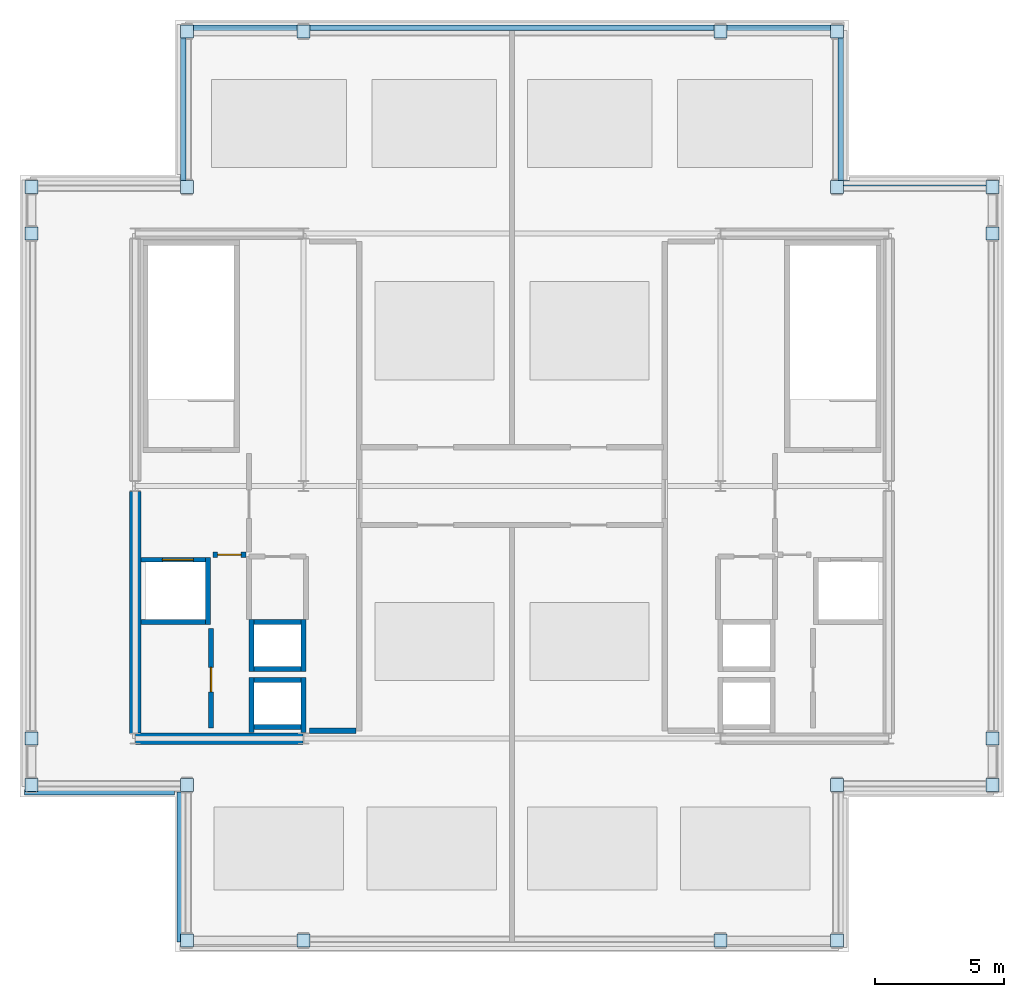
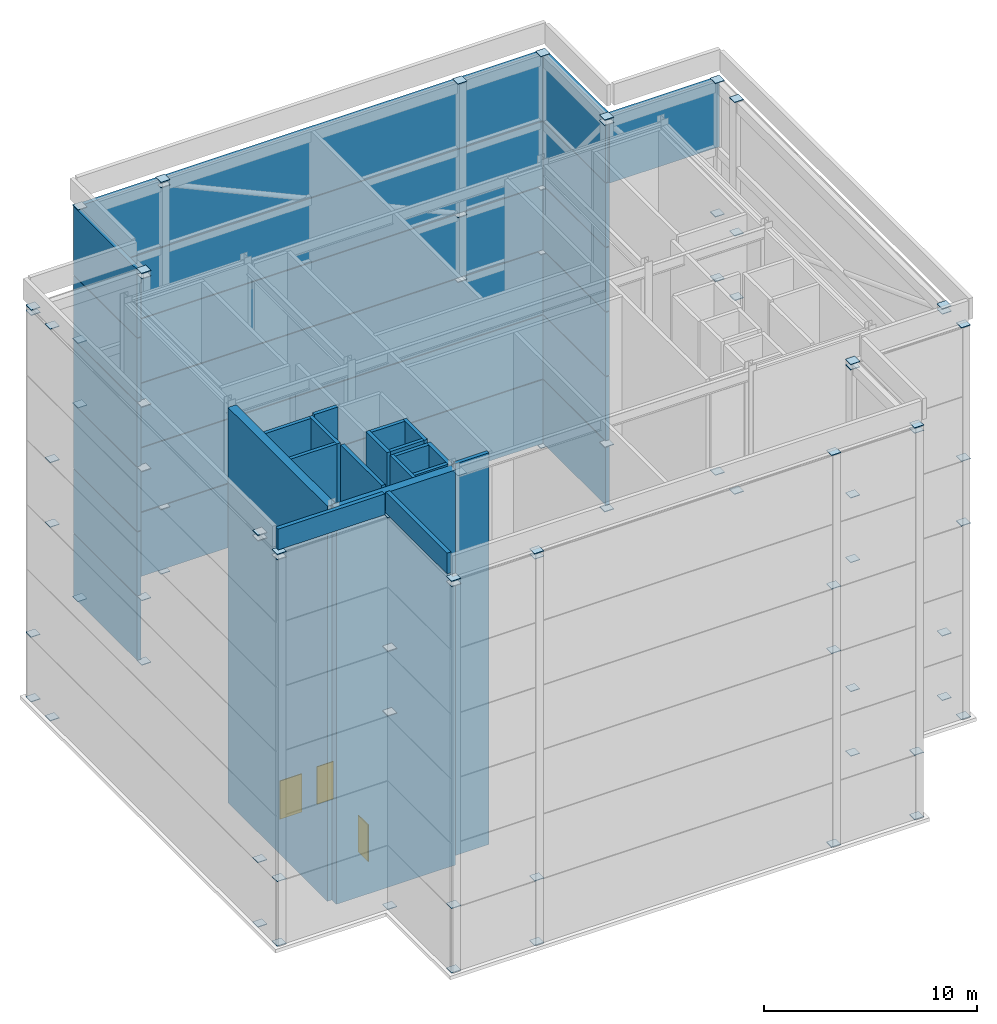
# One storey, part 4 of 8: 103 plates, 18 walls, 3 doors, 3 openings.
"""IFC4 building model written with IfcOpenShell, lengths in metres."""

from ifc_helpers import new_model, si_unit, direction, frame, frame_2d, origin, origin_2d, place, context, subcontext, project, spatial, rectangle, extrude, material, layer, layer_set, type_object, element, fill, save


model = new_model("IFC4")

# Units and contexts
model_context = context("Model", 3, precision=1e-05, world=origin(), true_north=direction((0.0, 1.0)))
body_context = subcontext(model_context, "Body", "Model", "MODEL_VIEW")
ifc_project = project(units=[si_unit("LENGTHUNIT", "METRE"), si_unit("AREAUNIT", "SQUARE_METRE"), si_unit("VOLUMEUNIT", "CUBIC_METRE"), si_unit("PLANEANGLEUNIT", "RADIAN"), si_unit("MASSUNIT", "GRAM", prefix="KILO")], contexts=[model_context])

# Site, building, storey
site_placement = place(None, origin())
site = spatial("IfcSite", under=ifc_project, at=site_placement, CompositionType="ELEMENT")
building_placement = place(site_placement, origin())
building = spatial("IfcBuilding", under=site, at=building_placement, Name="Brelmoor Portico Tower", CompositionType="ELEMENT")
storey_placement = place(building_placement, frame((0.0, 0.0, 289.199951171875)))
storey = spatial("IfcBuildingStorey", under=building, at=storey_placement, Name="L76", CompositionType="ELEMENT", Elevation=289.199951171875)

# Plates
ifc_material_1 = material(Name="Steel Q355B", Category="steel")
ifc_layer_1 = layer(ifc_material_1, 0.035888671875)
ifc_layer_set_1 = layer_set([ifc_layer_1], Name="Steel Q355B")
plate_type_1 = type_object("IfcPlateType", Name="PT-CAP-500", PredefinedType="SHEET", material=ifc_layer_set_1)
for number, where, z_axis, x_axis, name in (
    (1, (-12.550048828125, -17.550048828125, -0.01806640625), (0.0, 0.0, 1.0), (1.0, 0.0, 0.0), "CROWN FRAME Vertical Post PS01 Joint Cap Plate 1"),
    (2, (-12.550048828125, -17.550048828125, 22.43212890625), (0.0, 0.0, 1.0), (1.0, 0.0, 0.0), "CROWN FRAME Vertical Post PS01 Joint Cap Plate 2"),
    (3, (-8.050048828125, -17.550048828125, -0.01806640625), (0.0, 0.0, 1.0), (1.0, 0.0, 0.0), "CROWN FRAME Vertical Post PS02 Joint Cap Plate 1"),
    (4, (-8.050048828125, -17.550048828125, 22.43212890625), (0.0, 0.0, 1.0), (1.0, 0.0, 0.0), "CROWN FRAME Vertical Post PS02 Joint Cap Plate 2"),
    (5, (8.050048828125, -17.550048828125, -0.01806640625), (0.0, 0.0, 1.0), (1.0, 0.0, 0.0), "CROWN FRAME Vertical Post PS03 Joint Cap Plate 1"),
    (6, (8.050048828125, -17.550048828125, 22.43212890625), (0.0, 0.0, 1.0), (1.0, 0.0, 0.0), "CROWN FRAME Vertical Post PS03 Joint Cap Plate 2"),
    (7, (12.550048828125, -17.550048828125, -0.01806640625), (0.0, 0.0, 1.0), (1.0, 0.0, 0.0), "CROWN FRAME Vertical Post PS04 Joint Cap Plate 1"),
    (8, (12.550048828125, -17.550048828125, 22.43212890625), (0.0, 0.0, 1.0), (1.0, 0.0, 0.0), "CROWN FRAME Vertical Post PS04 Joint Cap Plate 2"),
    (9, (-12.550048828125, 17.550048828125, -0.01806640625), (0.0, 0.0, 1.0), (1.0, 0.0, 0.0), "CROWN FRAME Vertical Post PN01 Joint Cap Plate 1"),
    (10, (-12.550048828125, 17.550048828125, 22.43212890625), (0.0, 0.0, 1.0), (1.0, 0.0, 0.0), "CROWN FRAME Vertical Post PN01 Joint Cap Plate 2"),
    (11, (-8.050048828125, 17.550048828125, -0.01806640625), (0.0, 0.0, 1.0), (1.0, 0.0, 0.0), "CROWN FRAME Vertical Post PN02 Joint Cap Plate 1"),
    (12, (-8.050048828125, 17.550048828125, 22.43212890625), (0.0, 0.0, 1.0), (1.0, 0.0, 0.0), "CROWN FRAME Vertical Post PN02 Joint Cap Plate 2"),
    (13, (8.050048828125, 17.550048828125, -0.01806640625), (0.0, 0.0, 1.0), (1.0, 0.0, 0.0), "CROWN FRAME Vertical Post PN03 Joint Cap Plate 1"),
    (14, (8.050048828125, 17.550048828125, 22.43212890625), (0.0, 0.0, 1.0), (1.0, 0.0, 0.0), "CROWN FRAME Vertical Post PN03 Joint Cap Plate 2"),
    (15, (12.550048828125, 17.550048828125, -0.01806640625), (0.0, 0.0, 1.0), (1.0, 0.0, 0.0), "CROWN FRAME Vertical Post PN04 Joint Cap Plate 1"),
    (16, (12.550048828125, 17.550048828125, 22.43212890625), (0.0, 0.0, 1.0), (1.0, 0.0, 0.0), "CROWN FRAME Vertical Post PN04 Joint Cap Plate 2"),
    (17, (-18.550048828125, -11.550048828125, -0.01806640625), (0.0, 0.0, 1.0), (1.0, 0.0, 0.0), "CROWN FRAME Vertical Post PW01 Joint Cap Plate 1"),
    (18, (-18.550048828125, -11.550048828125, 22.43212890625), (0.0, 0.0, 1.0), (1.0, 0.0, 0.0), "CROWN FRAME Vertical Post PW01 Joint Cap Plate 2"),
    (19, (-18.550048828125, -9.75, -0.01806640625), (0.0, 0.0, 1.0), (1.0, 0.0, 0.0), "CROWN FRAME Vertical Post PW02 Joint Cap Plate 1"),
    (20, (-18.550048828125, -9.75, 22.43212890625), (0.0, 0.0, 1.0), (1.0, 0.0, 0.0), "CROWN FRAME Vertical Post PW02 Joint Cap Plate 2"),
    (21, (-18.550048828125, 9.75, -0.01806640625), (0.0, 0.0, 1.0), (1.0, 0.0, 0.0), "CROWN FRAME Vertical Post PW03 Joint Cap Plate 1"),
    (22, (-18.550048828125, 9.75, 22.43212890625), (0.0, 0.0, 1.0), (1.0, 0.0, 0.0), "CROWN FRAME Vertical Post PW03 Joint Cap Plate 2"),
    (23, (-18.550048828125, 11.550048828125, -0.01806640625), (0.0, 0.0, 1.0), (1.0, 0.0, 0.0), "CROWN FRAME Vertical Post PW04 Joint Cap Plate 1"),
    (24, (-18.550048828125, 11.550048828125, 22.43212890625), (0.0, 0.0, 1.0), (1.0, 0.0, 0.0), "CROWN FRAME Vertical Post PW04 Joint Cap Plate 2"),
    (25, (18.550048828125, -11.550048828125, -0.01806640625), (0.0, 0.0, 1.0), (1.0, 0.0, 0.0), "CROWN FRAME Vertical Post PE01 Joint Cap Plate 1"),
    (26, (18.550048828125, -11.550048828125, 22.43212890625), (0.0, 0.0, 1.0), (1.0, 0.0, 0.0), "CROWN FRAME Vertical Post PE01 Joint Cap Plate 2"),
    (27, (18.550048828125, -9.75, -0.01806640625), (0.0, 0.0, 1.0), (1.0, 0.0, 0.0), "CROWN FRAME Vertical Post PE02 Joint Cap Plate 1"),
    (28, (18.550048828125, -9.75, 22.43212890625), (0.0, 0.0, 1.0), (1.0, 0.0, 0.0), "CROWN FRAME Vertical Post PE02 Joint Cap Plate 2"),
    (29, (18.550048828125, 9.75, -0.01806640625), (0.0, 0.0, 1.0), (1.0, 0.0, 0.0), "CROWN FRAME Vertical Post PE03 Joint Cap Plate 1"),
    (30, (18.550048828125, 9.75, 22.43212890625), (0.0, 0.0, 1.0), (1.0, 0.0, 0.0), "CROWN FRAME Vertical Post PE03 Joint Cap Plate 2"),
    (31, (18.550048828125, 11.550048828125, -0.01806640625), (0.0, 0.0, 1.0), (1.0, 0.0, 0.0), "CROWN FRAME Vertical Post PE04 Joint Cap Plate 1"),
    (32, (18.550048828125, 11.550048828125, 22.43212890625), (0.0, 0.0, 1.0), (1.0, 0.0, 0.0), "CROWN FRAME Vertical Post PE04 Joint Cap Plate 2"),
    (33, (-12.550048828125, 11.550048828125, -0.01806640625), (0.0, 0.0, 1.0), (1.0, 0.0, 0.0), "CROWN FRAME Vertical Post PC-NW Joint Cap Plate 1"),
    (34, (-12.550048828125, 11.550048828125, 22.43212890625), (0.0, 0.0, 1.0), (1.0, 0.0, 0.0), "CROWN FRAME Vertical Post PC-NW Joint Cap Plate 2"),
    (35, (12.550048828125, 11.550048828125, -0.01806640625), (0.0, 0.0, 1.0), (1.0, 0.0, 0.0), "CROWN FRAME Vertical Post PC-NE Joint Cap Plate 1"),
    (36, (12.550048828125, 11.550048828125, 22.43212890625), (0.0, 0.0, 1.0), (1.0, 0.0, 0.0), "CROWN FRAME Vertical Post PC-NE Joint Cap Plate 2"),
    (37, (12.550048828125, -11.550048828125, -0.01806640625), (0.0, 0.0, 1.0), (1.0, 0.0, 0.0), "CROWN FRAME Vertical Post PC-SE Joint Cap Plate 1"),
    (38, (12.550048828125, -11.550048828125, 22.43212890625), (0.0, 0.0, 1.0), (1.0, 0.0, 0.0), "CROWN FRAME Vertical Post PC-SE Joint Cap Plate 2"),
    (39, (-12.550048828125, -11.550048828125, -0.01806640625), (0.0, 0.0, 1.0), (1.0, 0.0, 0.0), "CROWN FRAME Vertical Post PC-SW Joint Cap Plate 1"),
    (40, (-12.550048828125, -11.550048828125, 22.43212890625), (0.0, 0.0, 1.0), (1.0, 0.0, 0.0), "CROWN FRAME Vertical Post PC-SW Joint Cap Plate 2"),
    (41, (-8.050048828125, -17.550048828125, 3.68212890625), (0.0, 0.0, 1.0), (1.0, 0.0, 0.0), "CROWN FRAME Wind Brace 01A Joint Cap Plate 1"),
    (42, (8.050048828125, -17.550048828125, 11.08203125), (0.0, 0.0, 1.0), (1.0, 0.0, 0.0), "CROWN FRAME Wind Brace 01A Joint Cap Plate 2"),
    (43, (8.050048828125, -17.550048828125, 14.7822265625), (0.0, 0.0, 1.0), (1.0, 0.0, 0.0), "CROWN FRAME Wind Brace 01B Joint Cap Plate 1"),
    (44, (-8.050048828125, -17.550048828125, 22.13232421875), (0.0, 0.0, 1.0), (1.0, 0.0, 0.0), "CROWN FRAME Wind Brace 01B Joint Cap Plate 2"),
    (45, (-18.550048828125, -11.550048828125, 3.68212890625), (0.0, 0.0, 1.0), (1.0, 0.0, 0.0), "CROWN FRAME Wind Brace 02A Joint Cap Plate 1"),
    (46, (-12.550048828125, -11.550048828125, 11.08203125), (0.0, 0.0, 1.0), (1.0, 0.0, 0.0), "CROWN FRAME Wind Brace 02A Joint Cap Plate 2"),
    (47, (-12.550048828125, -11.550048828125, 14.7822265625), (0.0, 0.0, 1.0), (1.0, 0.0, 0.0), "CROWN FRAME Wind Brace 02B Joint Cap Plate 1"),
    (48, (-18.550048828125, -11.550048828125, 22.13232421875), (0.0, 0.0, 1.0), (1.0, 0.0, 0.0), "CROWN FRAME Wind Brace 02B Joint Cap Plate 2"),
    (49, (12.550048828125, -11.550048828125, 3.68212890625), (0.0, 0.0, 1.0), (1.0, 0.0, 0.0), "CROWN FRAME Wind Brace 03A Joint Cap Plate 1"),
    (50, (18.550048828125, -11.550048828125, 11.08203125), (0.0, 0.0, 1.0), (1.0, 0.0, 0.0), "CROWN FRAME Wind Brace 03A Joint Cap Plate 2"),
    (51, (18.550048828125, -11.550048828125, 14.7822265625), (0.0, 0.0, 1.0), (1.0, 0.0, 0.0), "CROWN FRAME Wind Brace 03B Joint Cap Plate 1"),
    (52, (12.550048828125, -11.550048828125, 22.13232421875), (0.0, 0.0, 1.0), (1.0, 0.0, 0.0), "CROWN FRAME Wind Brace 03B Joint Cap Plate 2"),
    (53, (-18.550048828125, 11.550048828125, 3.68212890625), (0.0, 0.0, 1.0), (1.0, 0.0, 0.0), "CROWN FRAME Wind Brace 04A Joint Cap Plate 1"),
    (54, (-12.550048828125, 11.550048828125, 11.08203125), (0.0, 0.0, 1.0), (1.0, 0.0, 0.0), "CROWN FRAME Wind Brace 04A Joint Cap Plate 2"),
    (55, (-12.550048828125, 11.550048828125, 14.7822265625), (0.0, 0.0, 1.0), (1.0, 0.0, 0.0), "CROWN FRAME Wind Brace 04B Joint Cap Plate 1"),
    (56, (-18.550048828125, 11.550048828125, 22.13232421875), (0.0, 0.0, 1.0), (1.0, 0.0, 0.0), "CROWN FRAME Wind Brace 04B Joint Cap Plate 2"),
    (57, (12.550048828125, 11.550048828125, 3.68212890625), (0.0, 0.0, 1.0), (1.0, 0.0, 0.0), "CROWN FRAME Wind Brace 05A Joint Cap Plate 1"),
    (58, (18.550048828125, 11.550048828125, 11.08203125), (0.0, 0.0, 1.0), (1.0, 0.0, 0.0), "CROWN FRAME Wind Brace 05A Joint Cap Plate 2"),
    (59, (18.550048828125, 11.550048828125, 14.7822265625), (0.0, 0.0, 1.0), (1.0, 0.0, 0.0), "CROWN FRAME Wind Brace 05B Joint Cap Plate 1"),
    (60, (12.550048828125, 11.550048828125, 22.13232421875), (0.0, 0.0, 1.0), (1.0, 0.0, 0.0), "CROWN FRAME Wind Brace 05B Joint Cap Plate 2"),
    (61, (-8.050048828125, 17.550048828125, 3.68212890625), (0.0, 0.0, 1.0), (1.0, 0.0, 0.0), "CROWN FRAME Wind Brace 06A Joint Cap Plate 1"),
    (62, (8.050048828125, 17.550048828125, 11.08203125), (0.0, 0.0, 1.0), (1.0, 0.0, 0.0), "CROWN FRAME Wind Brace 06A Joint Cap Plate 2"),
    (63, (8.050048828125, 17.550048828125, 14.7822265625), (0.0, 0.0, 1.0), (1.0, 0.0, 0.0), "CROWN FRAME Wind Brace 06B Joint Cap Plate 1"),
    (64, (-8.050048828125, 17.550048828125, 22.13232421875), (0.0, 0.0, 1.0), (1.0, 0.0, 0.0), "CROWN FRAME Wind Brace 06B Joint Cap Plate 2"),
    (65, (-18.550048828125, -9.75, 3.68212890625), (0.0, 0.0, 1.0), (1.0, 0.0, 0.0), "CROWN FRAME Wind Brace 07A Joint Cap Plate 1"),
    (66, (-18.550048828125, 9.75, 11.08203125), (0.0, 0.0, 1.0), (1.0, 0.0, 0.0), "CROWN FRAME Wind Brace 07A Joint Cap Plate 2"),
    (67, (-18.550048828125, 9.75, 14.7822265625), (0.0, 0.0, 1.0), (1.0, 0.0, 0.0), "CROWN FRAME Wind Brace 07B Joint Cap Plate 1"),
    (68, (-18.550048828125, -9.75, 22.13232421875), (0.0, 0.0, 1.0), (1.0, 0.0, 0.0), "CROWN FRAME Wind Brace 07B Joint Cap Plate 2"),
    (69, (-12.550048828125, -17.550048828125, 3.68212890625), (0.0, 0.0, 1.0), (1.0, 0.0, 0.0), "CROWN FRAME Wind Brace 08A Joint Cap Plate 1"),
    (70, (-12.550048828125, -17.550048828125, 22.13232421875), (0.0, 0.0, 1.0), (1.0, 0.0, 0.0), "CROWN FRAME Wind Brace 08B Joint Cap Plate 2"),
    (71, (-12.550048828125, 11.550048828125, 3.68212890625), (0.0, 0.0, 1.0), (1.0, 0.0, 0.0), "CROWN FRAME Wind Brace 09A Joint Cap Plate 1"),
    (72, (-12.550048828125, 17.550048828125, 11.08203125), (0.0, 0.0, 1.0), (1.0, 0.0, 0.0), "CROWN FRAME Wind Brace 09A Joint Cap Plate 2"),
    (73, (-12.550048828125, 17.550048828125, 14.7822265625), (0.0, 0.0, 1.0), (1.0, 0.0, 0.0), "CROWN FRAME Wind Brace 09B Joint Cap Plate 1"),
    (74, (-12.550048828125, 11.550048828125, 22.13232421875), (0.0, 0.0, 1.0), (1.0, 0.0, 0.0), "CROWN FRAME Wind Brace 09B Joint Cap Plate 2"),
    (75, (12.550048828125, -17.550048828125, 3.68212890625), (0.0, 0.0, 1.0), (1.0, 0.0, 0.0), "CROWN FRAME Wind Brace 10A Joint Cap Plate 1"),
    (76, (12.550048828125, -11.550048828125, 11.08203125), (0.0, 0.0, 1.0), (1.0, 0.0, 0.0), "CROWN FRAME Wind Brace 10A Joint Cap Plate 2"),
    (77, (12.550048828125, -11.550048828125, 14.7822265625), (0.0, 0.0, 1.0), (1.0, 0.0, 0.0), "CROWN FRAME Wind Brace 10B Joint Cap Plate 1"),
    (78, (12.550048828125, -17.550048828125, 22.13232421875), (0.0, 0.0, 1.0), (1.0, 0.0, 0.0), "CROWN FRAME Wind Brace 10B Joint Cap Plate 2"),
    (79, (12.550048828125, 17.550048828125, 11.08203125), (0.0, 0.0, 1.0), (1.0, 0.0, 0.0), "CROWN FRAME Wind Brace 11A Joint Cap Plate 2"),
    (80, (12.550048828125, 17.550048828125, 14.7822265625), (0.0, 0.0, 1.0), (1.0, 0.0, 0.0), "CROWN FRAME Wind Brace 11B Joint Cap Plate 1"),
    (81, (18.550048828125, -9.75, 3.68212890625), (0.0, 0.0, 1.0), (1.0, 0.0, 0.0), "CROWN FRAME Wind Brace 12A Joint Cap Plate 1"),
    (82, (18.550048828125, 9.75, 11.08203125), (0.0, 0.0, 1.0), (1.0, 0.0, 0.0), "CROWN FRAME Wind Brace 12A Joint Cap Plate 2"),
    (83, (18.550048828125, 9.75, 14.7822265625), (0.0, 0.0, 1.0), (1.0, 0.0, 0.0), "CROWN FRAME Wind Brace 12B Joint Cap Plate 1"),
    (84, (18.550048828125, -9.75, 22.13232421875), (0.0, 0.0, 1.0), (1.0, 0.0, 0.0), "CROWN FRAME Wind Brace 12B Joint Cap Plate 2"),
):
    element("IfcPlate", number, at=place(storey_placement, frame(where, z_axis=z_axis, x_axis=x_axis)), inside=storey, type_object=plate_type_1, Name=name, PredefinedType="SHEET", context=body_context, shape_type="SweptSolid", body=[
        extrude(rectangle(XDim=0.5, YDim=0.5, at=origin_2d()), origin(), (0.0, 0.0, 1.0), 0.035888671875),
    ])
ifc_material_2 = material(Name="Pale Champagne Anodised Aluminium Crown Screen", Category="aluminium")
ifc_layer_2 = layer(ifc_material_2, 0.06494140625)
ifc_layer_set_2 = layer_set([ifc_layer_2], Name="Pale Champagne Anodised Aluminium Crown Screen")
plate_type_2 = type_object("IfcPlateType", Name="PT-CROWN-LOUVRE", PredefinedType="SHEET", material=ifc_layer_set_2)
plate_1_placement = place(storey_placement, frame((0.0, 17.699951171875, 0.02001953125), z_axis=(0.0, 0.0, 1.0), x_axis=(1.0, 0.0, 0.0)))
element("IfcPlate", 85, at=plate_1_placement, inside=storey, type_object=plate_type_2, Name="CROWN LOUVRE SCREEN Plate Tier 1 N", PredefinedType="SHEET", context=body_context, shape_type="SweptSolid", body=[
    extrude(rectangle(XDim=25.360107421875, YDim=0.219970703125, at=origin_2d()), origin(), (0.0, 0.0, 1.0), 3.659912109375),
])
for number, where, z_axis, x_axis, name in (
    (86, (-12.699951171875, 14.699951171875, 0.02001953125), (0.0, 0.0, 1.0), (0.0, 1.0, 0.0), "CROWN LOUVRE SCREEN Plate Tier 1 NW1"),
    (87, (12.699951171875, 14.699951171875, 0.02001953125), (0.0, 0.0, 1.0), (0.0, 1.0, 0.0), "CROWN LOUVRE SCREEN Plate Tier 1 NE1"),
):
    element("IfcPlate", number, at=place(storey_placement, frame(where, z_axis=z_axis, x_axis=x_axis)), inside=storey, type_object=plate_type_2, Name=name, PredefinedType="SHEET", context=body_context, shape_type="SweptSolid", body=[
        extrude(rectangle(XDim=5.9599609375, YDim=0.219970703125, at=origin_2d()), origin(), (0.0, 0.0, 1.0), 3.659912109375),
    ])
plate_2_placement = place(storey_placement, frame((0.0, 17.699951171875, 3.72021484375), z_axis=(0.0, 0.0, 1.0), x_axis=(1.0, 0.0, 0.0)))
element("IfcPlate", 88, at=plate_2_placement, inside=storey, type_object=plate_type_2, Name="CROWN LOUVRE SCREEN Plate Tier 2 N", PredefinedType="SHEET", context=body_context, shape_type="SweptSolid", body=[
    extrude(rectangle(XDim=25.360107421875, YDim=0.219970703125, at=origin_2d()), origin(), (0.0, 0.0, 1.0), 3.659912109375),
])
for number, where, z_axis, x_axis, name in (
    (89, (-12.699951171875, 14.699951171875, 3.72021484375), (0.0, 0.0, 1.0), (0.0, 1.0, 0.0), "CROWN LOUVRE SCREEN Plate Tier 2 NW1"),
    (90, (12.699951171875, 14.699951171875, 3.72021484375), (0.0, 0.0, 1.0), (0.0, 1.0, 0.0), "CROWN LOUVRE SCREEN Plate Tier 2 NE1"),
):
    element("IfcPlate", number, at=place(storey_placement, frame(where, z_axis=z_axis, x_axis=x_axis)), inside=storey, type_object=plate_type_2, Name=name, PredefinedType="SHEET", context=body_context, shape_type="SweptSolid", body=[
        extrude(rectangle(XDim=5.9599609375, YDim=0.219970703125, at=origin_2d()), origin(), (0.0, 0.0, 1.0), 3.659912109375),
    ])
plate_3_placement = place(storey_placement, frame((0.0, 17.699951171875, 7.419921875), z_axis=(0.0, 0.0, 1.0), x_axis=(1.0, 0.0, 0.0)))
element("IfcPlate", 91, at=plate_3_placement, inside=storey, type_object=plate_type_2, Name="CROWN LOUVRE SCREEN Plate Tier 3 N", PredefinedType="SHEET", context=body_context, shape_type="SweptSolid", body=[
    extrude(rectangle(XDim=25.360107421875, YDim=0.219970703125, at=origin_2d()), origin(), (0.0, 0.0, 1.0), 3.659912109375),
])
for number, where, z_axis, x_axis, name in (
    (92, (-12.699951171875, 14.699951171875, 7.419921875), (0.0, 0.0, 1.0), (0.0, 1.0, 0.0), "CROWN LOUVRE SCREEN Plate Tier 3 NW1"),
    (93, (12.699951171875, 14.699951171875, 7.419921875), (0.0, 0.0, 1.0), (0.0, 1.0, 0.0), "CROWN LOUVRE SCREEN Plate Tier 3 NE1"),
):
    element("IfcPlate", number, at=place(storey_placement, frame(where, z_axis=z_axis, x_axis=x_axis)), inside=storey, type_object=plate_type_2, Name=name, PredefinedType="SHEET", context=body_context, shape_type="SweptSolid", body=[
        extrude(rectangle(XDim=5.9599609375, YDim=0.219970703125, at=origin_2d()), origin(), (0.0, 0.0, 1.0), 3.659912109375),
    ])
plate_4_placement = place(storey_placement, frame((0.0, 17.699951171875, 11.1201171875), z_axis=(0.0, 0.0, 1.0), x_axis=(1.0, 0.0, 0.0)))
element("IfcPlate", 94, at=plate_4_placement, inside=storey, type_object=plate_type_2, Name="CROWN LOUVRE SCREEN Plate Tier 4 N", PredefinedType="SHEET", context=body_context, shape_type="SweptSolid", body=[
    extrude(rectangle(XDim=25.360107421875, YDim=0.219970703125, at=origin_2d()), origin(), (0.0, 0.0, 1.0), 3.659912109375),
])
for number, where, z_axis, x_axis, name in (
    (95, (-12.699951171875, 14.699951171875, 11.1201171875), (0.0, 0.0, 1.0), (0.0, 1.0, 0.0), "CROWN LOUVRE SCREEN Plate Tier 4 NW1"),
    (96, (12.699951171875, 14.699951171875, 11.1201171875), (0.0, 0.0, 1.0), (0.0, 1.0, 0.0), "CROWN LOUVRE SCREEN Plate Tier 4 NE1"),
):
    element("IfcPlate", number, at=place(storey_placement, frame(where, z_axis=z_axis, x_axis=x_axis)), inside=storey, type_object=plate_type_2, Name=name, PredefinedType="SHEET", context=body_context, shape_type="SweptSolid", body=[
        extrude(rectangle(XDim=5.9599609375, YDim=0.219970703125, at=origin_2d()), origin(), (0.0, 0.0, 1.0), 3.659912109375),
    ])
plate_5_placement = place(storey_placement, frame((0.0, 17.699951171875, 14.8203125), z_axis=(0.0, 0.0, 1.0), x_axis=(1.0, 0.0, 0.0)))
element("IfcPlate", 97, at=plate_5_placement, inside=storey, type_object=plate_type_2, Name="CROWN LOUVRE SCREEN Plate Tier 5 N", PredefinedType="SHEET", context=body_context, shape_type="SweptSolid", body=[
    extrude(rectangle(XDim=25.360107421875, YDim=0.219970703125, at=origin_2d()), origin(), (0.0, 0.0, 1.0), 3.659912109375),
])
for number, where, z_axis, x_axis, name in (
    (98, (-12.699951171875, 14.699951171875, 14.8203125), (0.0, 0.0, 1.0), (0.0, 1.0, 0.0), "CROWN LOUVRE SCREEN Plate Tier 5 NW1"),
    (99, (12.699951171875, 14.699951171875, 14.8203125), (0.0, 0.0, 1.0), (0.0, 1.0, 0.0), "CROWN LOUVRE SCREEN Plate Tier 5 NE1"),
):
    element("IfcPlate", number, at=place(storey_placement, frame(where, z_axis=z_axis, x_axis=x_axis)), inside=storey, type_object=plate_type_2, Name=name, PredefinedType="SHEET", context=body_context, shape_type="SweptSolid", body=[
        extrude(rectangle(XDim=5.9599609375, YDim=0.219970703125, at=origin_2d()), origin(), (0.0, 0.0, 1.0), 3.659912109375),
    ])
plate_6_placement = place(storey_placement, frame((0.0, 17.699951171875, 18.52001953125), z_axis=(0.0, 0.0, 1.0), x_axis=(1.0, 0.0, 0.0)))
element("IfcPlate", 100, at=plate_6_placement, inside=storey, type_object=plate_type_2, Name="CROWN LOUVRE SCREEN Plate Tier 6 N", PredefinedType="SHEET", context=body_context, shape_type="SweptSolid", body=[
    extrude(rectangle(XDim=25.360107421875, YDim=0.219970703125, at=origin_2d()), origin(), (0.0, 0.0, 1.0), 3.909912109375),
])
for number, where, z_axis, x_axis, name in (
    (101, (-12.699951171875, 14.699951171875, 18.52001953125), (0.0, 0.0, 1.0), (0.0, 1.0, 0.0), "CROWN LOUVRE SCREEN Plate Tier 6 NW1"),
    (102, (12.699951171875, 14.699951171875, 18.52001953125), (0.0, 0.0, 1.0), (0.0, 1.0, 0.0), "CROWN LOUVRE SCREEN Plate Tier 6 NE1"),
    (103, (15.699951171875, 11.699951171875, 18.52001953125), (0.0, 0.0, 1.0), (1.0, 0.0, 0.0), "CROWN LOUVRE SCREEN Plate Tier 6 NE2"),
):
    element("IfcPlate", number, at=place(storey_placement, frame(where, z_axis=z_axis, x_axis=x_axis)), inside=storey, type_object=plate_type_2, Name=name, PredefinedType="SHEET", context=body_context, shape_type="SweptSolid", body=[
        extrude(rectangle(XDim=5.9599609375, YDim=0.219970703125, at=origin_2d()), origin(), (0.0, 0.0, 1.0), 3.909912109375),
    ])

# Walls
ifc_material_3 = material(Name="Concrete C50", Category="concrete")
ifc_layer_3 = layer(ifc_material_3, 0.449951171875)
ifc_layer_set_3 = layer_set([ifc_layer_3], Name="Concrete C50")
wall_type_1 = type_object("IfcWallType", Name="WL-CORE-450", PredefinedType="SHEAR", material=ifc_layer_set_3)
wall_1_placement = place(storey_placement, frame((-14.530029296875, -9.75, -0.199951171875), z_axis=(0.0, 0.0, 1.0), x_axis=(1.0, 0.0, 0.0)))
element("IfcWall", 104, at=wall_1_placement, inside=storey, type_object=wall_type_1, Name="L76 WC South Shear Wall", PredefinedType="SHEAR", context=body_context, shape_type="SweptSolid", body=[
    extrude(rectangle(XDim=6.4599609375, YDim=0.449951171875, at=frame_2d((3.22998046875, 0.0))), origin(), (0.0, 0.0, 1.0), 22.64990234375),
])
wall_2_placement = place(storey_placement, frame((-14.550048828125, -9.550048828125, -0.199951171875), z_axis=(0.0, 0.0, 1.0), x_axis=(0.0, 1.0, 0.0)))
element("IfcWall", 105, at=wall_2_placement, inside=storey, type_object=wall_type_1, Name="L76 WC Outer South Shear Wall", PredefinedType="SHEAR", context=body_context, shape_type="SweptSolid", body=[
    extrude(rectangle(XDim=9.35009765625, YDim=0.449951171875, at=frame_2d((4.675048828125, 0.0))), origin(), (0.0, 0.0, 1.0), 22.64990234375),
])
ifc_material_4 = material(Name="Concrete C40 Parapet Upstand", Category="concrete")
ifc_layer_4 = layer(ifc_material_4, 0.219970703125)
ifc_layer_set_4 = layer_set([ifc_layer_4], Name="Concrete C40 Parapet Upstand")
wall_type_2 = type_object("IfcWallType", Name="WL-PARAPET-220", PredefinedType="PARAPET", material=ifc_layer_set_4)
for number, where, z_axis, x_axis, name in (
    (106, (-18.820068359375, -11.820068359375, 22.800048828125), (0.0, 0.0, 1.0), (1.0, 0.0, 0.0), "L76 Roof Parapet Wall 11"),
    (107, (-12.820068359375, -11.820068359375, 22.800048828125), (0.0, 0.0, 1.0), (0.0, -1.0, 0.0), "L76 Roof Parapet Wall 12"),
):
    element("IfcWall", number, at=place(storey_placement, frame(where, z_axis=z_axis, x_axis=x_axis)), inside=storey, type_object=wall_type_2, Name=name, PredefinedType="PARAPET", context=body_context, shape_type="SweptSolid", body=[
        extrude(rectangle(XDim=5.780029296875, YDim=0.219970703125, at=frame_2d((2.89013671875, 0.0))), origin(), (0.0, 0.0, 1.0), 1.199951171875),
    ])
ifc_material_5 = material(Name="Double-Stud Gypsum Fire Partition", Category="gypsum")
ifc_layer_5 = layer(ifc_material_5, 0.199951171875)
ifc_layer_set_5 = layer_set([ifc_layer_5], Name="Double-Stud Gypsum Fire Partition")
wall_type_3 = type_object("IfcWallType", Name="WL-PART-200", PredefinedType="PARTITIONING", material=ifc_layer_set_5)
wall_3_placement = place(storey_placement, frame((-6.02001953125, -9.449951171875, 0.0), z_axis=(0.0, 0.0, 1.0), x_axis=(-1.0, 0.0, 0.0)))
element("IfcWall", 108, at=wall_3_placement, inside=storey, type_object=wall_type_3, Name="L76 W Lift Lobby South End Wall", PredefinedType="PARTITIONING", context=body_context, shape_type="SweptSolid", body=[
    extrude(rectangle(XDim=1.800048828125, YDim=0.199951171875, at=frame_2d((0.89990234375, 0.0))), origin(), (0.0, 0.0, 1.0), 22.449951171875),
])

# Wall, opening, door
wall_4_placement = place(storey_placement, frame((-10.280029296875, -2.64990234375, 0.0), z_axis=(0.0, 0.0, 1.0), x_axis=(-1.0, 0.0, 0.0)))
wall_4 = element("IfcWall", 109, at=wall_4_placement, inside=storey, type_object=wall_type_3, Name="L76 W Firefighting Lobby South Wall", PredefinedType="PARTITIONING", context=body_context, shape_type="SweptSolid", body=[
    extrude(rectangle(XDim=1.27001953125, YDim=0.199951171875, at=frame_2d((0.635009765625, 0.0))), origin(), (0.0, 0.0, 1.0), 22.449951171875),
])
opening_1_placement = place(wall_4_placement, frame((0.18505859375, 0.0, 0.0)))
opening_1 = element("IfcOpeningElement", 110, at=opening_1_placement, cuts=wall_4, Name="Opening D-IN1", PredefinedType="OPENING", context=body_context, shape_type="SweptSolid", body=[
    extrude(rectangle(XDim=0.89990234375, YDim=2.14990234375, at=frame_2d((0.449951171875, 1.074951171875))), frame((0.0, 0.10986328125, 0.0), z_axis=(0.0, -1.0, 0.0), x_axis=(1.0, 0.0, 0.0)), (0.0, 0.0, 1.0), 0.219970703125),
])
ifc_material_6 = material(Name="Lacquered Timber Suite Door", Category="wood")
door_type_1 = type_object("IfcDoorType", Name="DR-INT-900", OperationType="NOTDEFINED", PredefinedType="DOOR", material=ifc_material_6)
door_1_placement = place(opening_1_placement, origin())
door_1 = element("IfcDoor", 111, at=door_1_placement, inside=storey, type_object=door_type_1, Name="D-3077 L76 W Core Service Vestibule Door", OperationType="SINGLE_SWING_LEFT", OverallHeight=2.14990234375, OverallWidth=0.89990234375, PredefinedType="DOOR", context=body_context, shape_type="SweptSolid", body=[
    extrude(rectangle(XDim=0.89990234375, YDim=2.14990234375, at=frame_2d((0.449951171875, 1.074951171875))), frame((0.0, 0.02490234375, 0.0), z_axis=(0.0, -1.0, 0.0), x_axis=(1.0, 0.0, 0.0)), (0.0, 0.0, 1.0), 0.050048828125),
])
fill(opening_1, door_1)

wall_5_placement = place(storey_placement, frame((-11.6201171875, -9.35009765625, 0.0), z_axis=(0.0, 0.0, 1.0), x_axis=(0.0, 1.0, 0.0)))
wall_5 = element("IfcWall", 112, at=wall_5_placement, inside=storey, type_object=wall_type_3, Name="L76 W Mechanical Equipment Closet Wall", PredefinedType="PARTITIONING", context=body_context, shape_type="SweptSolid", body=[
    extrude(rectangle(XDim=3.85009765625, YDim=0.199951171875, at=frame_2d((1.925048828125, 0.0))), origin(), (0.0, 0.0, 1.0), 22.449951171875),
])
opening_2_placement = place(wall_5_placement, frame((1.39990234375, 0.0, 0.0)))
opening_2 = element("IfcOpeningElement", 113, at=opening_2_placement, cuts=wall_5, Name="Opening D-FR4", PredefinedType="OPENING", context=body_context, shape_type="SweptSolid", body=[
    extrude(rectangle(XDim=0.949951171875, YDim=2.10009765625, at=frame_2d((0.47509765625, 1.050048828125))), frame((0.0, 0.10986328125, 0.0), z_axis=(0.0, -1.0, 0.0), x_axis=(1.0, 0.0, 0.0)), (0.0, 0.0, 1.0), 0.219970703125),
])
ifc_material_7 = material(Name="Painted Galvanised Steel Riser Door", Category="steel")
door_type_2 = type_object("IfcDoorType", Name="DR-FIRE-950", OperationType="NOTDEFINED", PredefinedType="DOOR", material=ifc_material_7)
door_2_placement = place(opening_2_placement, origin())
door_2 = element("IfcDoor", 114, at=door_2_placement, inside=storey, type_object=door_type_2, Name="D-3075 L76 W Mechanical Equipment Closet Door", OperationType="SINGLE_SWING_LEFT", OverallHeight=2.10009765625, OverallWidth=0.949951171875, PredefinedType="DOOR", context=body_context, shape_type="SweptSolid", body=[
    extrude(rectangle(XDim=0.949951171875, YDim=2.10009765625, at=frame_2d((0.47509765625, 1.050048828125))), frame((0.0, 0.02490234375, 0.0), z_axis=(0.0, -1.0, 0.0), x_axis=(1.0, 0.0, 0.0)), (0.0, 0.0, 1.0), 0.050048828125),
])
fill(opening_2, door_2)

# Walls
ifc_material_8 = material(Name="Precast Concrete C40", Category="concrete")
ifc_layer_6 = layer(ifc_material_8, 0.18994140625)
ifc_layer_set_6 = layer_set([ifc_layer_6], Name="Precast Concrete C40")
wall_type_4 = type_object("IfcWallType", Name="WL-SHAFT-180", PredefinedType="SOLIDWALL", material=ifc_layer_set_6)
for number, where, z_axis, x_axis, name in (
    (115, (-8.044921875, -9.52001953125, -0.199951171875), (0.0, 0.0, 1.0), (0.0, 1.0, 0.0), "L76 Lift PH1 Hoistway Front Wall"),
    (116, (-10.054931640625, -9.52001953125, -0.199951171875), (0.0, 0.0, 1.0), (0.0, 1.0, 0.0), "L76 Lift PH1 Hoistway Back Wall"),
):
    element("IfcWall", number, at=place(storey_placement, frame(where, z_axis=z_axis, x_axis=x_axis)), inside=storey, type_object=wall_type_4, Name=name, PredefinedType="SOLIDWALL", context=body_context, shape_type="SweptSolid", body=[
        extrude(rectangle(XDim=2.1201171875, YDim=0.18994140625, at=frame_2d((1.06005859375, 0.0))), origin(), (0.0, 0.0, 1.0), 22.64990234375),
    ])
for number, where, z_axis, x_axis, name in (
    (117, (-10.14990234375, -7.4951171875, -0.199951171875), (0.0, 0.0, 1.0), (1.0, 0.0, 0.0), "L76 Lift PH1 Hoistway North Wall"),
    (118, (-10.14990234375, -9.304931640625, -0.199951171875), (0.0, 0.0, 1.0), (1.0, 0.0, 0.0), "L76 Lift PH1 Hoistway South Wall"),
):
    element("IfcWall", number, at=place(storey_placement, frame(where, z_axis=z_axis, x_axis=x_axis)), inside=storey, type_object=wall_type_4, Name=name, PredefinedType="SOLIDWALL", context=body_context, shape_type="SweptSolid", body=[
        extrude(rectangle(XDim=2.199951171875, YDim=0.18994140625, at=frame_2d((1.10009765625, 0.0))), origin(), (0.0, 0.0, 1.0), 22.64990234375),
    ])
for number, where, z_axis, x_axis, name in (
    (119, (-8.044921875, -7.14990234375, -0.199951171875), (0.0, 0.0, 1.0), (0.0, 1.0, 0.0), "L76 Lift PH2 Hoistway Front Wall"),
    (120, (-10.054931640625, -7.14990234375, -0.199951171875), (0.0, 0.0, 1.0), (0.0, 1.0, 0.0), "L76 Lift PH2 Hoistway Back Wall"),
):
    element("IfcWall", number, at=place(storey_placement, frame(where, z_axis=z_axis, x_axis=x_axis)), inside=storey, type_object=wall_type_4, Name=name, PredefinedType="SOLIDWALL", context=body_context, shape_type="SweptSolid", body=[
        extrude(rectangle(XDim=2.0, YDim=0.18994140625, at=frame_2d((1.0, 0.0))), origin(), (0.0, 0.0, 1.0), 22.64990234375),
    ])
for number, where, z_axis, x_axis, name in (
    (121, (-10.14990234375, -5.2451171875, -0.199951171875), (0.0, 0.0, 1.0), (1.0, 0.0, 0.0), "L76 Lift PH2 Hoistway North Wall"),
    (122, (-10.14990234375, -7.054931640625, -0.199951171875), (0.0, 0.0, 1.0), (1.0, 0.0, 0.0), "L76 Lift PH2 Hoistway South Wall"),
):
    element("IfcWall", number, at=place(storey_placement, frame(where, z_axis=z_axis, x_axis=x_axis)), inside=storey, type_object=wall_type_4, Name=name, PredefinedType="SOLIDWALL", context=body_context, shape_type="SweptSolid", body=[
        extrude(rectangle(XDim=2.199951171875, YDim=0.18994140625, at=frame_2d((1.10009765625, 0.0))), origin(), (0.0, 0.0, 1.0), 22.64990234375),
    ])

# Wall, opening, door
wall_6_placement = place(storey_placement, frame((-14.330078125, -2.844970703125, -0.199951171875), z_axis=(0.0, 0.0, 1.0), x_axis=(1.0, 0.0, 0.0)))
wall_6 = element("IfcWall", 123, at=wall_6_placement, inside=storey, type_object=wall_type_4, Name="L76 Lift FF1 Hoistway Front Wall", PredefinedType="SOLIDWALL", context=body_context, shape_type="SweptSolid", body=[
    extrude(rectangle(XDim=2.68017578125, YDim=0.18994140625, at=frame_2d((1.340087890625, 0.0))), origin(), (0.0, 0.0, 1.0), 22.64990234375),
])
opening_3_placement = place(wall_6_placement, frame((0.830078125, 0.0, 0.199951171875)))
opening_3 = element("IfcOpeningElement", 124, at=opening_3_placement, cuts=wall_6, Name="Opening LD-02", PredefinedType="OPENING", context=body_context, shape_type="SweptSolid", body=[
    extrude(rectangle(XDim=1.199951171875, YDim=2.199951171875, at=frame_2d((0.60009765625, 1.10009765625))), frame((0.0, 0.10498046875, 0.0), z_axis=(0.0, -1.0, 0.0), x_axis=(1.0, 0.0, 0.0)), (0.0, 0.0, 1.0), 0.2099609375),
])
ifc_material_9 = material(Name="Brushed Stainless Steel Firefighting Lift Door", Category="steel")
door_type_3 = type_object("IfcDoorType", Name="DR-LIFT-1200", OperationType="NOTDEFINED", PredefinedType="DOOR", material=ifc_material_9)
door_3_placement = place(opening_3_placement, origin())
door_3 = element("IfcDoor", 125, at=door_3_placement, inside=storey, type_object=door_type_3, Name="D-3090 L76 Lift FF1 Sliding Landing Door", OperationType="SLIDING_TO_LEFT", OverallHeight=2.199951171875, OverallWidth=1.199951171875, PredefinedType="DOOR", context=body_context, shape_type="SweptSolid", body=[
    extrude(rectangle(XDim=1.199951171875, YDim=2.199951171875, at=frame_2d((0.60009765625, 1.10009765625))), frame((0.0, 0.02490234375, 0.0), z_axis=(0.0, -1.0, 0.0), x_axis=(1.0, 0.0, 0.0)), (0.0, 0.0, 1.0), 0.050048828125),
])
fill(opening_3, door_3)

# Walls
wall_7_placement = place(storey_placement, frame((-14.330078125, -5.2548828125, -0.199951171875), z_axis=(0.0, 0.0, 1.0), x_axis=(1.0, 0.0, 0.0)))
element("IfcWall", 126, at=wall_7_placement, inside=storey, type_object=wall_type_4, Name="L76 Firefighting Lift FF1 South Wall", PredefinedType="SOLIDWALL", context=body_context, shape_type="SweptSolid", body=[
    extrude(rectangle(XDim=2.68017578125, YDim=0.18994140625, at=frame_2d((1.340087890625, 0.0))), origin(), (0.0, 0.0, 1.0), 22.64990234375),
])
wall_8_placement = place(storey_placement, frame((-11.7451171875, -5.35009765625, -0.199951171875), z_axis=(0.0, 0.0, 1.0), x_axis=(0.0, 1.0, 0.0)))
element("IfcWall", 127, at=wall_8_placement, inside=storey, type_object=wall_type_4, Name="L76 Firefighting Lift FF1 Inner Wall", PredefinedType="SOLIDWALL", context=body_context, shape_type="SweptSolid", body=[
    extrude(rectangle(XDim=2.60009765625, YDim=0.18994140625, at=frame_2d((1.300048828125, 0.0))), origin(), (0.0, 0.0, 1.0), 22.64990234375),
])

save(model, "model.ifc")
